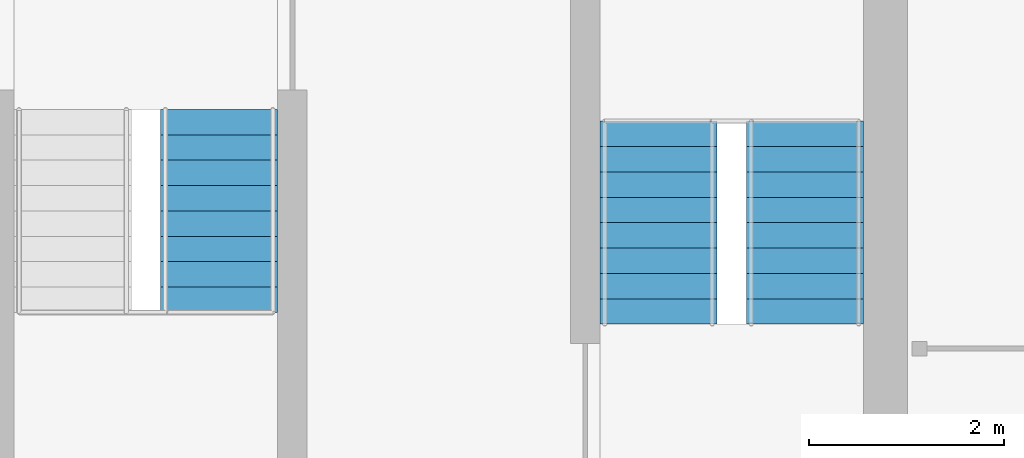
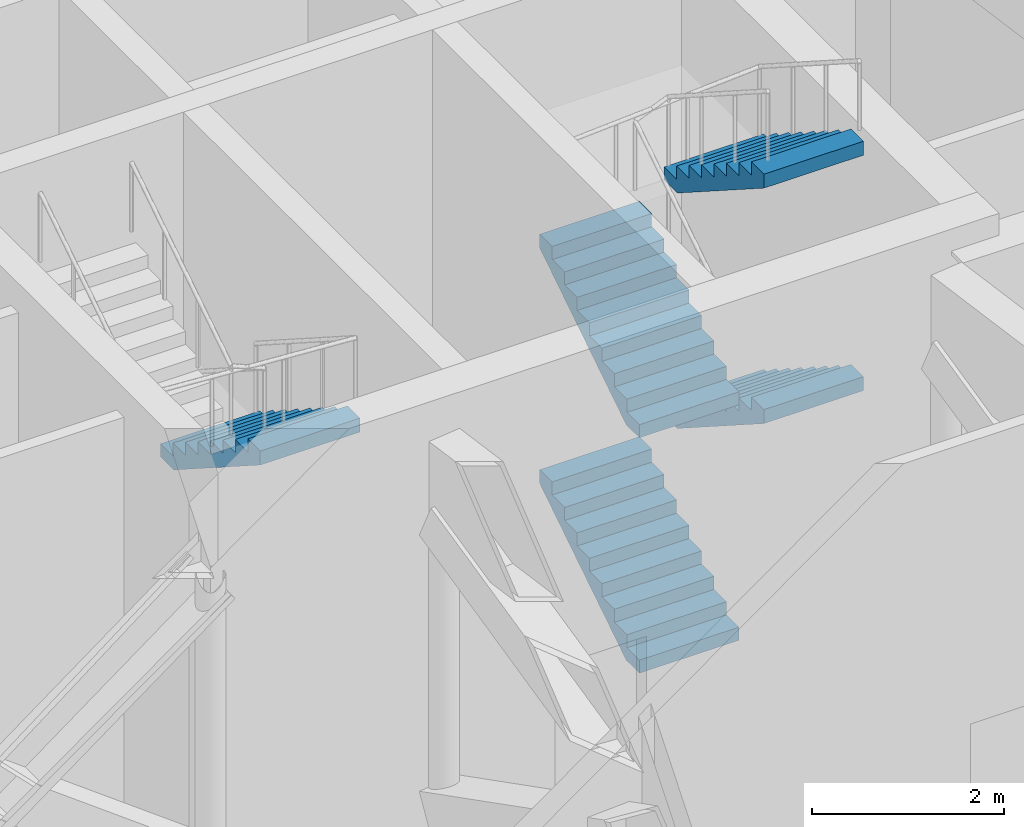
# One storey, part 14 of 16: 5 stair flights, 2 elements without a shape of their own.
"""IFC4 building model written with IfcOpenShell, lengths in metres."""

from ifc_helpers import new_model, si_unit, direction, frame, origin, place, context, subcontext, project, spatial, polyline, outline, extrude, material, type_object, element, aggregate, save


model = new_model("IFC4")

# Units and contexts
model_context = context("Model", 3, precision=1e-05, world=origin(), true_north=direction((0.0, 1.0)))
body_context = subcontext(model_context, "Body", "Model", "MODEL_VIEW")
ifc_project = project(units=[si_unit("LENGTHUNIT", "METRE"), si_unit("AREAUNIT", "SQUARE_METRE"), si_unit("VOLUMEUNIT", "CUBIC_METRE"), si_unit("PLANEANGLEUNIT", "RADIAN"), si_unit("MASSUNIT", "GRAM", prefix="KILO")], contexts=[model_context])

# Site, building, storey
site_placement = place(None, origin())
site = spatial("IfcSite", under=ifc_project, at=site_placement, CompositionType="ELEMENT")
building_placement = place(site_placement, origin())
building = spatial("IfcBuilding", under=site, at=building_placement, Name="Torana Hotel and Residences", CompositionType="ELEMENT")
storey_placement = place(building_placement, frame((0.0, 0.0, 308.60009765625)))
storey = spatial("IfcBuildingStorey", under=building, at=storey_placement, Name="L82", CompositionType="ELEMENT", Elevation=308.60009765625)

# Stair, stair flight
ifc_material_1 = material(Name="Concrete C40/50 precast", Category="concrete")
stair_type_1 = type_object("IfcStairType", Name="STAIR ST3 HALF TURN 1200", PredefinedType="HALF_TURN_STAIR", material=ifc_material_1)
stair_1_placement = place(storey_placement, origin())
stair_1 = element("IfcStair", 1, at=stair_1_placement, inside=storey, type_object=stair_type_1, Name="Stair ST3 L82", PredefinedType="HALF_TURN_STAIR")
ifc_material_2 = material(Name="Concrete C40/50 precast", Category="concrete")
stair_flight_type = type_object("IfcStairFlightType", Name="STAIR FLIGHT 1200 PRECAST", PredefinedType="STRAIGHT", material=ifc_material_2)
stair_flight_1_placement = place(storey_placement, frame((12.449951171875, -10.75, 3.0), z_axis=(0.0, 0.0, 1.0), x_axis=(0.0, -1.0, 0.0)))
stair_flight_1 = element("IfcStairFlight", 2, at=stair_flight_1_placement, type_object=stair_flight_type, Name="ST3 flight 3", NumberOfRisers=9, NumberOfTreads=8, PredefinedType="STRAIGHT", RiserHeight=0.166666667, TreadLength=0.26, context=body_context, shape_type="SweptSolid", body=[
    extrude(outline(polyline([(0.0, 0.0), (0.0, 0.166748046875), (0.260009765625, 0.166748046875), (0.260009765625, 0.333251953125), (0.52001953125, 0.333251953125), (0.52001953125, 0.5), (0.780029296875, 0.5), (0.780029296875, 0.666748046875), (1.0400390625, 0.666748046875), (1.0400390625, 0.833251953125), (1.300048828125, 0.833251953125), (1.300048828125, 1.0), (1.56005859375, 1.0), (1.56005859375, 1.166748046875), (1.820068359375, 1.166748046875), (1.820068359375, 1.333251953125), (2.080078125, 1.333251953125), (2.080078125, 1.5), (2.080078125, 1.1552734375), (0.27783203125, 0.0), (0.0, 0.0)])), frame((0.0, 0.60009765625, 0.0), z_axis=(0.0, -1.0, 0.0), x_axis=(1.0, 0.0, 0.0)), (0.0, 0.0, 1.0), 1.199951171875),
])
aggregate(stair_1, [stair_flight_1])

# Stair, stair flights
ifc_material_3 = material(Name="Concrete C40/50 precast", Category="concrete")
stair_type_2 = type_object("IfcStairType", Name="STAIR ST4 HALF TURN 1200", PredefinedType="HALF_TURN_STAIR", material=ifc_material_3)
stair_2_placement = place(storey_placement, origin())
stair_2 = element("IfcStair", 3, at=stair_2_placement, inside=storey, type_object=stair_type_2, Name="Stair ST4 L82", PredefinedType="HALF_TURN_STAIR")
stair_flight_2_placement = place(storey_placement, frame((16.949951171875, -12.949951171875, 0.0), z_axis=(0.0, 0.0, 1.0), x_axis=(0.0, 1.0, 0.0)))
stair_flight_2 = element("IfcStairFlight", 4, at=stair_flight_2_placement, type_object=stair_flight_type, Name="ST4 flight 1", NumberOfRisers=9, NumberOfTreads=8, PredefinedType="STRAIGHT", RiserHeight=0.166666667, TreadLength=0.26, context=body_context, shape_type="SweptSolid", body=[
    extrude(outline(polyline([(0.0, 0.0), (0.0, 0.166748046875), (0.260009765625, 0.166748046875), (0.260009765625, 0.333251953125), (0.52001953125, 0.333251953125), (0.52001953125, 0.5), (0.780029296875, 0.5), (0.780029296875, 0.666748046875), (1.0400390625, 0.666748046875), (1.0400390625, 0.833251953125), (1.300048828125, 0.833251953125), (1.300048828125, 1.0), (1.56005859375, 1.0), (1.56005859375, 1.166748046875), (1.820068359375, 1.166748046875), (1.820068359375, 1.333251953125), (2.080078125, 1.333251953125), (2.080078125, 1.5), (2.080078125, 1.1552734375), (0.27783203125, 0.0), (0.0, 0.0)])), frame((0.0, 0.60009765625, 0.0), z_axis=(0.0, -1.0, 0.0), x_axis=(1.0, 0.0, 0.0)), (0.0, 0.0, 1.0), 1.199951171875),
])
stair_flight_3_placement = place(storey_placement, frame((18.449951171875, -10.8701171875, 1.5), z_axis=(0.0, 0.0, 1.0), x_axis=(0.0, -1.0, 0.0)))
stair_flight_3 = element("IfcStairFlight", 5, at=stair_flight_3_placement, type_object=stair_flight_type, Name="ST4 flight 2", NumberOfRisers=9, NumberOfTreads=8, PredefinedType="STRAIGHT", RiserHeight=0.166666667, TreadLength=0.26, context=body_context, shape_type="SweptSolid", body=[
    extrude(outline(polyline([(0.0, 0.0), (0.0, 0.166748046875), (0.260009765625, 0.166748046875), (0.260009765625, 0.333251953125), (0.52001953125, 0.333251953125), (0.52001953125, 0.5), (0.780029296875, 0.5), (0.780029296875, 0.666748046875), (1.0400390625, 0.666748046875), (1.0400390625, 0.833251953125), (1.300048828125, 0.833251953125), (1.300048828125, 1.0), (1.56005859375, 1.0), (1.56005859375, 1.166748046875), (1.820068359375, 1.166748046875), (1.820068359375, 1.333251953125), (2.080078125, 1.333251953125), (2.080078125, 1.5), (2.080078125, 1.1552734375), (0.27783203125, 0.0), (0.0, 0.0)])), frame((0.0, 0.60009765625, 0.0), z_axis=(0.0, -1.0, 0.0), x_axis=(1.0, 0.0, 0.0)), (0.0, 0.0, 1.0), 1.199951171875),
])
stair_flight_4_placement = place(storey_placement, frame((16.949951171875, -12.949951171875, 3.0), z_axis=(0.0, 0.0, 1.0), x_axis=(0.0, 1.0, 0.0)))
stair_flight_4 = element("IfcStairFlight", 6, at=stair_flight_4_placement, type_object=stair_flight_type, Name="ST4 flight 3", NumberOfRisers=9, NumberOfTreads=8, PredefinedType="STRAIGHT", RiserHeight=0.166666667, TreadLength=0.26, context=body_context, shape_type="SweptSolid", body=[
    extrude(outline(polyline([(0.0, 0.0), (0.0, 0.166748046875), (0.260009765625, 0.166748046875), (0.260009765625, 0.333251953125), (0.52001953125, 0.333251953125), (0.52001953125, 0.5), (0.780029296875, 0.5), (0.780029296875, 0.666748046875), (1.0400390625, 0.666748046875), (1.0400390625, 0.833251953125), (1.300048828125, 0.833251953125), (1.300048828125, 1.0), (1.56005859375, 1.0), (1.56005859375, 1.166748046875), (1.820068359375, 1.166748046875), (1.820068359375, 1.333251953125), (2.080078125, 1.333251953125), (2.080078125, 1.5), (2.080078125, 1.1552734375), (0.27783203125, 0.0), (0.0, 0.0)])), frame((0.0, 0.60009765625, 0.0), z_axis=(0.0, -1.0, 0.0), x_axis=(1.0, 0.0, 0.0)), (0.0, 0.0, 1.0), 1.199951171875),
])
stair_flight_5_placement = place(storey_placement, frame((18.449951171875, -10.8701171875, 4.5), z_axis=(0.0, 0.0, 1.0), x_axis=(0.0, -1.0, 0.0)))
stair_flight_5 = element("IfcStairFlight", 7, at=stair_flight_5_placement, type_object=stair_flight_type, Name="ST4 flight 4", NumberOfRisers=9, NumberOfTreads=8, PredefinedType="STRAIGHT", RiserHeight=0.166666667, TreadLength=0.26, context=body_context, shape_type="SweptSolid", body=[
    extrude(outline(polyline([(0.0, 0.0), (0.0, 0.166748046875), (0.260009765625, 0.166748046875), (0.260009765625, 0.333251953125), (0.52001953125, 0.333251953125), (0.52001953125, 0.5), (0.780029296875, 0.5), (0.780029296875, 0.666748046875), (1.0400390625, 0.666748046875), (1.0400390625, 0.833251953125), (1.300048828125, 0.833251953125), (1.300048828125, 1.0), (1.56005859375, 1.0), (1.56005859375, 1.166748046875), (1.820068359375, 1.166748046875), (1.820068359375, 1.333251953125), (2.080078125, 1.333251953125), (2.080078125, 1.5), (2.080078125, 1.1552734375), (0.27783203125, 0.0), (0.0, 0.0)])), frame((0.0, 0.60009765625, 0.0), z_axis=(0.0, -1.0, 0.0), x_axis=(1.0, 0.0, 0.0)), (0.0, 0.0, 1.0), 1.199951171875),
])
aggregate(stair_2, [stair_flight_2, stair_flight_3, stair_flight_4, stair_flight_5])

save(model, "model.ifc")
